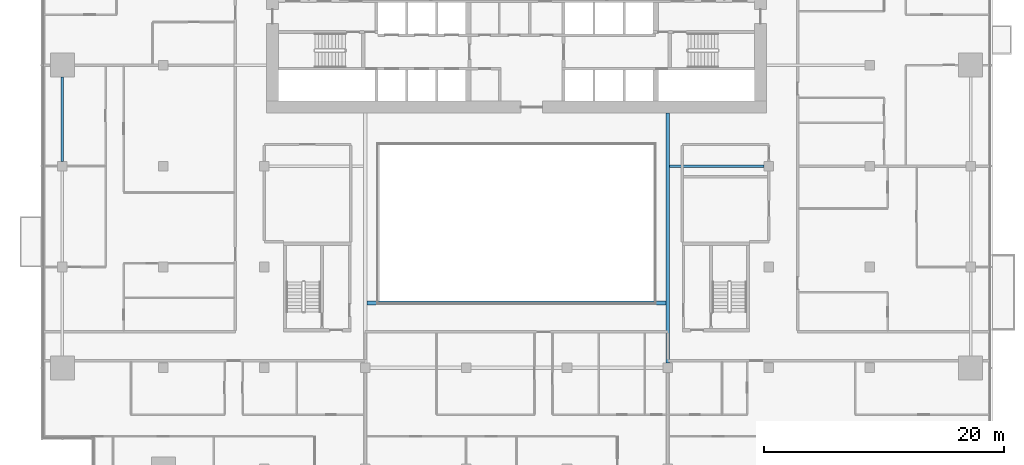
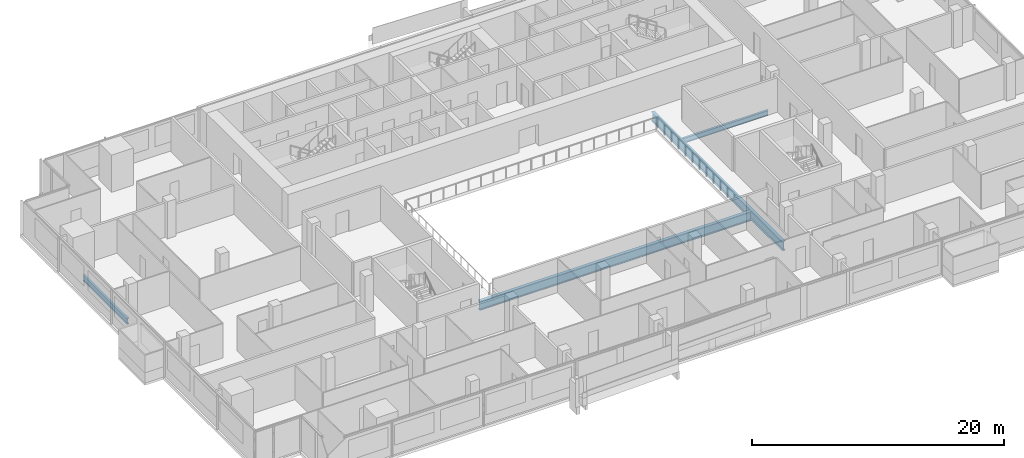
# One storey, part 7 of 26: 4 beams.
"""IFC4 building model written with IfcOpenShell, lengths in metres."""

from ifc_helpers import new_model, si_unit, direction, frame, origin, origin_2d, place, context, subcontext, project, spatial, i_section, extrude, material, material_profile, profile_set, type_object, element, save


model = new_model("IFC4")

# Units and contexts
model_context = context("Model", 3, precision=1e-05, world=origin(), true_north=direction((0.0, 1.0)))
body_context = subcontext(model_context, "Body", "Model", "MODEL_VIEW")
ifc_project = project(units=[si_unit("LENGTHUNIT", "METRE"), si_unit("AREAUNIT", "SQUARE_METRE"), si_unit("VOLUMEUNIT", "CUBIC_METRE"), si_unit("PLANEANGLEUNIT", "RADIAN"), si_unit("MASSUNIT", "GRAM", prefix="KILO")], contexts=[model_context])

# Site, building, storey
site_placement = place(None, origin())
site = spatial("IfcSite", under=ifc_project, at=site_placement, CompositionType="ELEMENT")
building_placement = place(site_placement, origin())
building = spatial("IfcBuilding", under=site, at=building_placement, Name="Saffron Gate Tower", CompositionType="ELEMENT")
storey_placement = place(building_placement, frame((0.0, 0.0, 120.449951171875)))
storey = spatial("IfcBuildingStorey", under=building, at=storey_placement, Name="L28", CompositionType="ELEMENT", Elevation=120.449951171875)

# Beams
ifc_material = material(Name="Structural steel S355", Category="steel")
ifc_material_profile_1 = material_profile(ifc_material, i_section(OverallWidth=0.199951171875, OverallDepth=0.5, WebThickness=0.01025390625, FlangeThickness=0.01611328125, FilletRadius=0.02099609375, at=origin_2d()))
ifc_profile_set_1 = profile_set([ifc_material_profile_1], Name="Structural steel S355")
beam_type_1 = type_object("IfcBeamType", Name="B10 IPE 500", PredefinedType="BEAM", material=ifc_profile_set_1)
beam_1_placement = place(storey_placement, frame((108.199951171875, 57.0, -0.530029296875), z_axis=(-1.0, 0.0, 0.0), x_axis=(0.0, -1.0, 0.0)))
element("IfcBeam", 1, at=beam_1_placement, inside=storey, type_object=beam_type_1, Name="B10 CORE TIE BEAM", PredefinedType="BEAM", context=body_context, shape_type="SweptSolid", body=[
    extrude(i_section(OverallWidth=0.199951171875, OverallDepth=0.5, WebThickness=0.01025390625, FlangeThickness=0.01611328125, FilletRadius=0.02099609375, at=origin_2d()), origin(), (0.0, 0.0, 1.0), 7.849853515625),
])
ifc_material_profile_2 = material_profile(ifc_material, i_section(OverallWidth=0.2099609375, OverallDepth=0.550048828125, WebThickness=0.010986328125, FlangeThickness=0.01708984375, FilletRadius=0.02392578125, at=origin_2d()))
ifc_profile_set_2 = profile_set([ifc_material_profile_2], Name="Structural steel S355")
beam_type_2 = type_object("IfcBeamType", Name="B13 IPE 550", PredefinedType="SPANDREL", material=ifc_profile_set_2)
beam_2_placement = place(storey_placement, frame((49.800048828125, 57.39990234375, -0.554931640625), z_axis=(0.0, 1.0, 0.0), x_axis=(-1.0, 0.0, 0.0)))
element("IfcBeam", 2, at=beam_2_placement, inside=storey, type_object=beam_type_2, Name="B13 SPANDREL BEAM", PredefinedType="SPANDREL", context=body_context, shape_type="SweptSolid", body=[
    extrude(i_section(OverallWidth=0.2099609375, OverallDepth=0.550048828125, WebThickness=0.010986328125, FlangeThickness=0.01708984375, FilletRadius=0.02392578125, at=origin_2d()), origin(), (0.0, 0.0, 1.0), 7.0),
])
ifc_material_profile_3 = material_profile(ifc_material, i_section(OverallWidth=0.300048828125, OverallDepth=0.889892578125, WebThickness=0.01611328125, FlangeThickness=0.030029296875, FilletRadius=0.030029296875, at=origin_2d()))
ifc_profile_set_3 = profile_set([ifc_material_profile_3], Name="Structural steel S355")
beam_type_3 = type_object("IfcBeamType", Name="B19 HEA 900", PredefinedType="BEAM", material=ifc_profile_set_3)
beam_3_placement = place(storey_placement, frame((100.199951171875, 40.60009765625, -0.724853515625), z_axis=(0.0, 1.0, 0.0), x_axis=(-1.0, 0.0, 0.0)))
element("IfcBeam", 3, at=beam_3_placement, inside=storey, type_object=beam_type_3, Name="B19 ATRIUM GIRDER", PredefinedType="BEAM", context=body_context, shape_type="SweptSolid", body=[
    extrude(i_section(OverallWidth=0.300048828125, OverallDepth=0.889892578125, WebThickness=0.01611328125, FlangeThickness=0.030029296875, FilletRadius=0.030029296875, at=origin_2d()), origin(), (0.0, 0.0, 1.0), 20.7998046875),
])
beam_4_placement = place(storey_placement, frame((75.14990234375, 45.60009765625, -0.724853515625), z_axis=(1.0, 0.0, 0.0), x_axis=(0.0, 1.0, 0.0)))
element("IfcBeam", 4, at=beam_4_placement, inside=storey, type_object=beam_type_3, Name="B19 ATRIUM GIRDER", PredefinedType="BEAM", context=body_context, shape_type="SweptSolid", body=[
    extrude(i_section(OverallWidth=0.300048828125, OverallDepth=0.889892578125, WebThickness=0.01611328125, FlangeThickness=0.030029296875, FilletRadius=0.030029296875, at=origin_2d()), origin(), (0.0, 0.0, 1.0), 24.900146484375),
])

save(model, "model.ifc")
